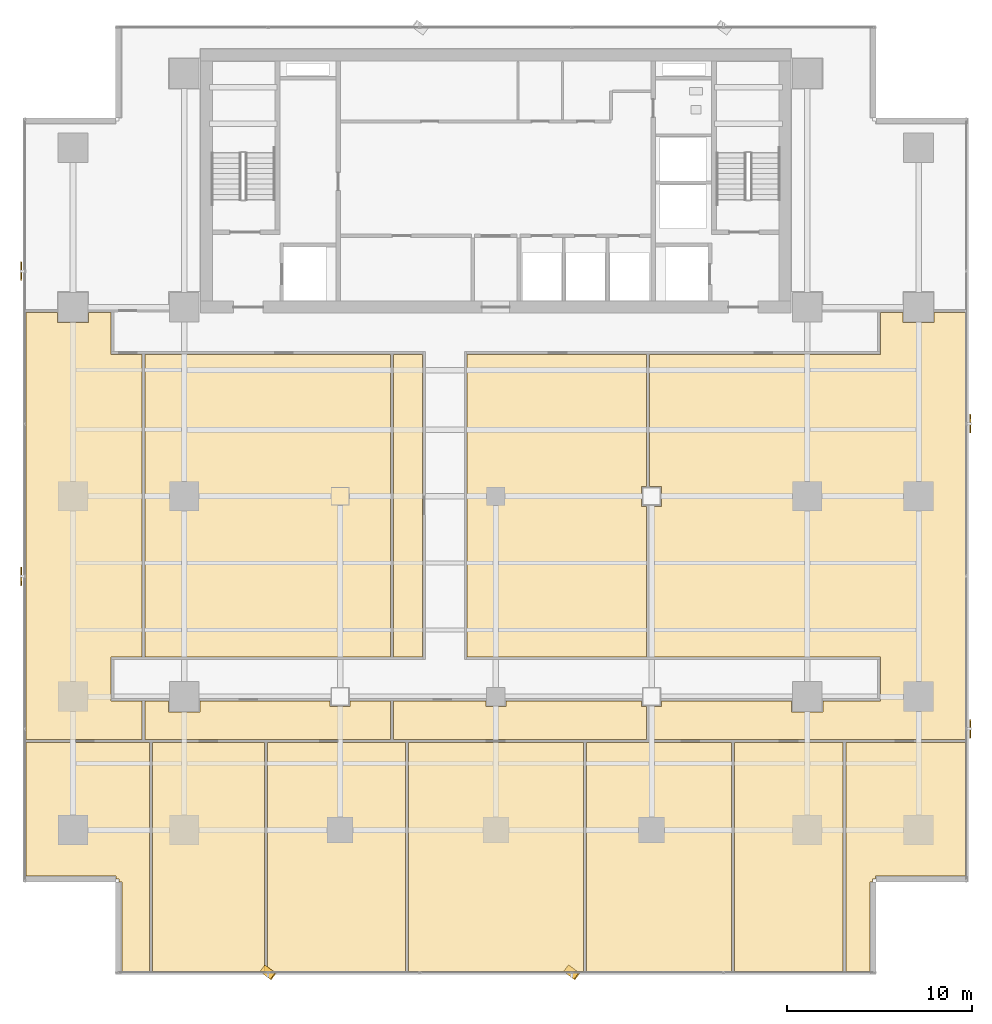
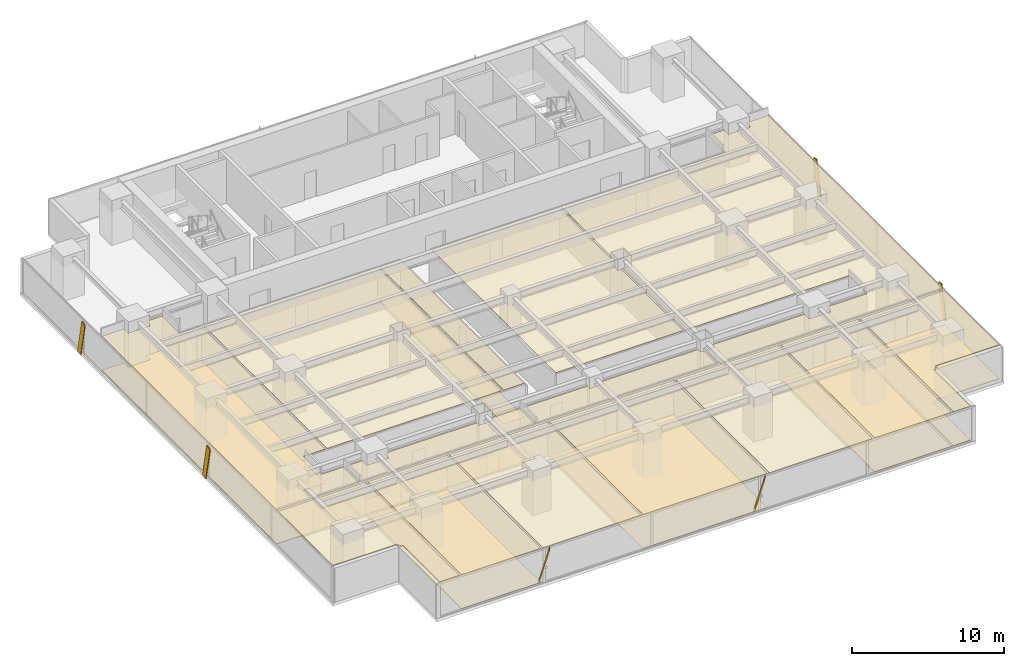
# One storey, part 32 of 36: 21 coverings, 6 shading devices.
"""IFC4 building model written with IfcOpenShell, lengths in metres."""

import ifcopenshell
import ifcopenshell.guid

model = None  # the IFC model being written
_history = None  # IfcOwnerHistory: only IFC2X3 demands one
_inside = {}  # id of a spatial element -> (the spatial element, [elements in it])
_under = {}  # id of a project, library or spatial element -> (it, [spatial elements below it])
_declared = {}  # id of a project -> (the project, [libraries it declares])
_typed = {}  # id of a type object -> (the type object, [elements of that type])
_made_of = {}  # id of a material, layer set ... -> (it, [elements and type objects made of it])


def new_model(schema):
    """Start an empty IFC model of exactly this schema.

    Asked for "IFC4X3", IfcOpenShell would pick the latest addendum, in which some entities
    have other attributes; the version numbers below select the first issue.
    IFC2X3 requires an IfcOwnerHistory on every rooted entity: one is made here for all.
    """
    global model, _history
    if schema == "IFC4X3":
        model = ifcopenshell.file(schema_version=(4, 3, 0, 0))
    else:
        model = ifcopenshell.file(schema=schema)
    _inside.clear()
    _under.clear()
    _declared.clear()
    _typed.clear()
    _made_of.clear()
    _history = None
    if model.schema == "IFC2X3":
        org = make("IfcOrganization", Name="unknown")
        user = make(
            "IfcPersonAndOrganization",
            ThePerson=make("IfcPerson", FamilyName="unknown"),
            TheOrganization=org,
        )
        app = make(
            "IfcApplication",
            ApplicationDeveloper=org,
            Version="unknown",
            ApplicationFullName="unknown",
            ApplicationIdentifier="unknown",
        )
        _history = make(
            "IfcOwnerHistory",
            OwningUser=user,
            OwningApplication=app,
            ChangeAction="ADDED",
            CreationDate=0,
        )
    return model


def make(cls, **values):
    """One entity of the class cls with the attributes given. An attribute that is None is left unset."""
    return model.create_entity(
        cls, **{name: value for name, value in values.items() if value is not None}
    )


def rooted(cls, **values):
    """An entity with a GlobalId (a new one), such as an element, a storey or a relation."""
    return make(cls, GlobalId=ifcopenshell.guid.new(), OwnerHistory=_history, **values)


def si_unit(unit_type, name, prefix=None):
    """IfcSIUnit, for example si_unit("LENGTHUNIT", "METRE", prefix="MILLI")."""
    return make("IfcSIUnit", UnitType=unit_type, Prefix=prefix, Name=name)


def assignment(units):
    """IfcUnitAssignment: the units of a project."""
    return None if units is None else make("IfcUnitAssignment", Units=units)


def point(xyz):
    """IfcCartesianPoint."""
    return None if xyz is None else make("IfcCartesianPoint", Coordinates=xyz)


def direction(xyz):
    """IfcDirection."""
    return None if xyz is None else make("IfcDirection", DirectionRatios=xyz)


def frame(location, z_axis=None, x_axis=None):
    """IfcAxis2Placement3D, a coordinate frame: its origin and axes. An axis left out is left unset."""
    return make(
        "IfcAxis2Placement3D",
        Location=point(location),
        Axis=direction(z_axis),
        RefDirection=direction(x_axis),
    )


def frame_2d(location, x_axis=None):
    """IfcAxis2Placement2D, a coordinate frame in the plane: its origin and x axis."""
    return make(
        "IfcAxis2Placement2D", Location=point(location), RefDirection=direction(x_axis)
    )


def origin():
    """The frame at (0, 0, 0) with its axes left unset."""
    return frame((0.0, 0.0, 0.0))


def origin_2d():
    """The frame at (0, 0) in the plane with its x axis left unset."""
    return frame_2d((0.0, 0.0))


def place(relative_to, where):
    """IfcLocalPlacement: puts the frame where relative to a parent placement (None: the world)."""
    return make(
        "IfcLocalPlacement", PlacementRelTo=relative_to, RelativePlacement=where
    )


def context(
    kind, dimensions, precision=None, world=None, true_north=None, identifier=None
):
    """IfcGeometricRepresentationContext, for example the 3D "Model" context."""
    return make(
        "IfcGeometricRepresentationContext",
        ContextIdentifier=identifier,
        ContextType=kind,
        CoordinateSpaceDimension=dimensions,
        Precision=precision,
        WorldCoordinateSystem=world,
        TrueNorth=true_north,
    )


def subcontext(parent, identifier, kind, view, scale=None):
    """IfcGeometricRepresentationSubContext, for example "Body" below "Model"."""
    return make(
        "IfcGeometricRepresentationSubContext",
        ContextIdentifier=identifier,
        ContextType=kind,
        ParentContext=parent,
        TargetScale=scale,
        TargetView=view,
    )


def project(units=None, contexts=None):
    """IfcProject with its units and contexts."""
    return rooted(
        "IfcProject",
        Name="project",
        RepresentationContexts=contexts,
        UnitsInContext=assignment(units),
    )


def spatial(cls, under=None, at=None, **own):
    """A site, building, storey or space (cls), placed at a placement, below another one or the project."""
    s = rooted(cls, ObjectPlacement=at, **own)
    if under is not None:
        _under.setdefault(under.id(), (under, []))[1].append(s)
    return s


def polyline(points):
    """IfcPolyline through the points."""
    return make("IfcPolyline", Points=[point(p) for p in points])


def profile(cls, at=None, kind="AREA", **sizes):
    """A parametric profile (cls). Its sizes go by their IFC names, for example OverallWidth=200.0."""
    return make(cls, ProfileType=kind, Position=at, **sizes)


def rectangle(**sizes):
    """IfcRectangleProfileDef."""
    return profile("IfcRectangleProfileDef", **sizes)


def outline(outer, holes=None, kind="AREA"):
    """IfcArbitraryClosedProfileDef: a profile drawn as a closed curve; with holes, ...WithVoids."""
    if holes is None:
        return make("IfcArbitraryClosedProfileDef", ProfileType=kind, OuterCurve=outer)
    return make(
        "IfcArbitraryProfileDefWithVoids",
        ProfileType=kind,
        OuterCurve=outer,
        InnerCurves=holes,
    )


def extrude(swept, where, along, depth):
    """IfcExtrudedAreaSolid: the profile swept, set in the frame where, extruded along a direction by depth."""
    return make(
        "IfcExtrudedAreaSolid",
        SweptArea=swept,
        Position=where,
        ExtrudedDirection=direction(along),
        Depth=depth,
    )


def shape(context_of_items, identifier, shape_type, items):
    """IfcShapeRepresentation: the items that make up one representation, for example the "Body"."""
    return make(
        "IfcShapeRepresentation",
        ContextOfItems=context_of_items,
        RepresentationIdentifier=identifier,
        RepresentationType=shape_type,
        Items=items,
    )


def source(mapping_origin, context_of_items, identifier, shape_type, items):
    """IfcRepresentationMap: a shape defined once, which mapped items show again and again."""
    return make(
        "IfcRepresentationMap",
        MappingOrigin=mapping_origin,
        MappedRepresentation=shape(context_of_items, identifier, shape_type, items),
    )


def transform(
    local_origin,
    x_axis=None,
    y_axis=None,
    z_axis=None,
    scale=None,
    scale2=None,
    scale3=None,
    uniform=True,
):
    """IfcCartesianTransformationOperator3D, or its non-uniform kind. x_axis, y_axis, z_axis: its Axis1, 2, 3."""
    if uniform:
        return make(
            "IfcCartesianTransformationOperator3D",
            Axis1=direction(x_axis),
            Axis2=direction(y_axis),
            LocalOrigin=point(local_origin),
            Scale=scale,
            Axis3=direction(z_axis),
        )
    return make(
        "IfcCartesianTransformationOperator3DnonUniform",
        Axis1=direction(x_axis),
        Axis2=direction(y_axis),
        LocalOrigin=point(local_origin),
        Scale=scale,
        Axis3=direction(z_axis),
        Scale2=scale2,
        Scale3=scale3,
    )


def mapped(mapping_source, mapping_target):
    """IfcMappedItem: shows the shape of a source again, moved by a transform."""
    return make(
        "IfcMappedItem", MappingSource=mapping_source, MappingTarget=mapping_target
    )


def material(Name=None, Category=None):
    """IfcMaterial."""
    return make("IfcMaterial", Name=Name, Category=Category)


def layer(
    of_material, thickness, ventilated=None, Name=None, Category=None, Priority=None
):
    """IfcMaterialLayer: one layer of a wall or slab, of a material (None: an air gap)."""
    return make(
        "IfcMaterialLayer",
        Material=of_material,
        LayerThickness=thickness,
        IsVentilated=ventilated,
        Name=Name,
        Category=Category,
        Priority=Priority,
    )


def layer_set(layers, Name=None):
    """IfcMaterialLayerSet."""
    return make("IfcMaterialLayerSet", MaterialLayers=layers, LayerSetName=Name)


def material_profile(
    of_material, cross_section, Name=None, Category=None, Priority=None
):
    """IfcMaterialProfile: a cross section and its material."""
    return make(
        "IfcMaterialProfile",
        Name=Name,
        Material=of_material,
        Profile=cross_section,
        Priority=Priority,
        Category=Category,
    )


def profile_set(profiles, Name=None, composite=None):
    """IfcMaterialProfileSet."""
    return make(
        "IfcMaterialProfileSet",
        Name=Name,
        MaterialProfiles=profiles,
        CompositeProfile=composite,
    )


def made_of(thing, what):
    """Note that an element or type object is made of a material, layer set ...; save() writes the relation."""
    if what is not None:
        _made_of.setdefault(what.id(), (what, []))[1].append(thing)
    return thing


def type_object(cls, material=None, **own):
    """A type object (cls), such as IfcWallType, which elements share."""
    return made_of(rooted(cls, **own), material)


def element(
    cls,
    number,
    at=None,
    inside=None,
    cuts=None,
    type_object=None,
    material=None,
    context=None,
    identifier="Body",
    shape_type=None,
    held_by="IfcProductDefinitionShape",
    body=None,
    shapes=None,
    **own,
):
    """One element of the class cls, such as IfcWall. Its Tag is "e" and its number.

    at: its placement. inside: the storey or other place that contains it. cuts: it is an
    opening in that element (IfcRelVoidsElement). A single representation is given by context,
    identifier, shape_type and body (its items); several are given by shapes. held_by: the class
    of the entity that holds the representations. save() writes the other relations.
    """
    e = rooted(cls, Tag="e%d" % number, ObjectPlacement=at, **own)
    if body is not None:
        shapes = [shape(context, identifier, shape_type, body)]
    if shapes is not None:
        e.Representation = make(held_by, Representations=shapes)
    if inside is not None:
        _inside.setdefault(inside.id(), (inside, []))[1].append(e)
    if cuts is not None:
        rooted(
            "IfcRelVoidsElement", RelatingBuildingElement=cuts, RelatedOpeningElement=e
        )
    if type_object is not None:
        _typed.setdefault(type_object.id(), (type_object, []))[1].append(e)
    return made_of(e, material)


def aggregate(whole, parts):
    """IfcRelAggregates: a whole, such as a stair, and the parts it consists of."""
    return rooted("IfcRelAggregates", RelatingObject=whole, RelatedObjects=parts)


def save(model, path):
    """Write the relations noted so far, then the file.

    IfcRelAggregates (storeys below a building ...), IfcRelContainedInSpatialStructure (elements
    in a storey), IfcRelDefinesByType, IfcRelAssociatesMaterial and IfcRelDeclares: one each for
    every whole, place, type object, material and project.
    """
    for whole, parts in _under.values():
        aggregate(whole, parts)
    for where, things in _inside.values():
        rooted(
            "IfcRelContainedInSpatialStructure",
            RelatedElements=things,
            RelatingStructure=where,
        )
    for kind, things in _typed.values():
        rooted("IfcRelDefinesByType", RelatedObjects=things, RelatingType=kind)
    for what, things in _made_of.values():
        rooted("IfcRelAssociatesMaterial", RelatedObjects=things, RelatingMaterial=what)
    for by, libraries in _declared.values():
        rooted("IfcRelDeclares", RelatingContext=by, RelatedDefinitions=libraries)
    model.write(path)


model = new_model("IFC4")

# Units and contexts
model_context = context("Model", 3, precision=1e-05, world=origin(), true_north=direction((0.0, 1.0)))
body_context = subcontext(model_context, "Body", "Model", "MODEL_VIEW")
ifc_project = project(units=[si_unit("LENGTHUNIT", "METRE"), si_unit("AREAUNIT", "SQUARE_METRE"), si_unit("VOLUMEUNIT", "CUBIC_METRE"), si_unit("PLANEANGLEUNIT", "RADIAN"), si_unit("MASSUNIT", "GRAM", prefix="KILO")], contexts=[model_context])

# Site, building, storey
site_placement = place(None, origin())
site = spatial("IfcSite", under=ifc_project, at=site_placement, CompositionType="ELEMENT")
building_placement = place(site_placement, origin())
building = spatial("IfcBuilding", under=site, at=building_placement, Name="Sumidabori Civic Tower", CompositionType="ELEMENT")
storey_placement = place(building_placement, frame((0.0, 0.0, 84.800048828125)))
storey = spatial("IfcBuildingStorey", under=building, at=storey_placement, Name="L21", CompositionType="ELEMENT", Elevation=84.800048828125)

# Coverings
ifc_material_1 = material(Name="Anodised Bronze Baffle Ceiling")
ifc_layer_1 = layer(ifc_material_1, 0.054931640625, Name="Anodised Bronze Baffle Ceiling")
ifc_layer_set_1 = layer_set([ifc_layer_1], Name="Anodised Bronze Baffle Ceiling")
covering_type_1 = type_object("IfcCoveringType", Name="CV-CEIL-AC3", PredefinedType="CEILING", material=ifc_layer_set_1)
covering_1_placement = place(storey_placement, frame((0.0, 0.0, 2.7099609375)))
element("IfcCovering", 1, at=covering_1_placement, inside=storey, type_object=covering_type_1, Name="Room Acoustic Ceiling L21-02", PredefinedType="CEILING", context=body_context, shape_type="SweptSolid", body=[
    extrude(outline(polyline([(-18.919921875, 7.659912109375), (-5.679931640625, 7.659912109375), (-5.679931640625, -8.659912109375), (-18.919921875, -8.659912109375), (-18.919921875, 7.659912109375)])), origin(), (0.0, 0.0, 1.0), 0.054931640625),
])
covering_2_placement = place(storey_placement, frame((0.0, 0.0, 2.7099609375)))
element("IfcCovering", 2, at=covering_2_placement, inside=storey, type_object=covering_type_1, Name="Room Acoustic Ceiling L21-03", PredefinedType="CEILING", context=body_context, shape_type="SweptSolid", body=[
    extrude(outline(polyline([(-5.52001953125, 7.659912109375), (-3.93994140625, 7.659912109375), (-3.93994140625, -8.659912109375), (-5.52001953125, -8.659912109375), (-5.52001953125, 7.659912109375)])), origin(), (0.0, 0.0, 1.0), 0.054931640625),
])
covering_3_placement = place(storey_placement, frame((0.0, 0.0, 2.7099609375)))
element("IfcCovering", 3, at=covering_3_placement, inside=storey, type_object=covering_type_1, Name="Room Acoustic Ceiling L21-04", PredefinedType="CEILING", context=body_context, shape_type="SweptSolid", body=[
    extrude(outline(polyline([(-1.56005859375, -8.659912109375), (-1.56005859375, 7.659912109375), (8.1201171875, 7.659912109375), (8.1201171875, 0.5400390625), (7.860107421875, 0.5400390625), (7.860107421875, -0.5400390625), (8.1201171875, -0.5400390625), (8.1201171875, -8.659912109375), (-1.56005859375, -8.659912109375)])), origin(), (0.0, 0.0, 1.0), 0.054931640625),
])
covering_4_placement = place(storey_placement, frame((0.0, 0.0, 2.7099609375)))
element("IfcCovering", 4, at=covering_4_placement, inside=storey, type_object=covering_type_1, Name="Room Acoustic Ceiling L21-05", PredefinedType="CEILING", context=body_context, shape_type="SweptSolid", body=[
    extrude(outline(polyline([(-25.330078125, -13.1201171875), (-25.330078125, 9.919921875), (-23.639892578125, 9.919921875), (-23.639892578125, 9.360107421875), (-21.9599609375, 9.360107421875), (-21.9599609375, 9.919921875), (-20.739990234375, 9.919921875), (-20.739990234375, 7.659912109375), (-19.080078125, 7.659912109375), (-19.080078125, -8.659912109375), (-20.724609375, -8.659912109375), (-20.739990234375, -8.66748046875), (-20.739990234375, -11.032470703125), (-20.724609375, -11.0400390625), (-19.080078125, -11.0400390625), (-19.080078125, -13.1201171875), (-25.330078125, -13.1201171875)])), origin(), (0.0, 0.0, 1.0), 0.054931640625),
])
covering_5_placement = place(storey_placement, frame((0.0, 0.0, 2.7099609375)))
element("IfcCovering", 5, at=covering_5_placement, inside=storey, type_object=covering_type_1, Name="Room Acoustic Ceiling L21-06", PredefinedType="CEILING", context=body_context, shape_type="SweptSolid", body=[
    extrude(outline(polyline([(8.280029296875, -11.340087890625), (8.93994140625, -11.340087890625), (8.93994140625, -11.0400390625), (15.9599609375, -11.0400390625), (15.9599609375, -11.639892578125), (17.639892578125, -11.639892578125), (17.639892578125, -11.0400390625), (20.724609375, -11.0400390625), (20.739990234375, -11.032470703125), (20.739990234375, -8.66748046875), (20.724609375, -8.659912109375), (8.280029296875, -8.659912109375), (8.280029296875, -0.5400390625), (8.93994140625, -0.5400390625), (8.93994140625, 0.5400390625), (8.280029296875, 0.5400390625), (8.280029296875, 7.659912109375), (20.739990234375, 7.659912109375), (20.739990234375, 9.919921875), (21.9599609375, 9.919921875), (21.9599609375, 9.360107421875), (23.639892578125, 9.360107421875), (23.639892578125, 9.919921875), (25.330078125, 9.919921875), (25.330078125, -13.1201171875), (8.280029296875, -13.1201171875), (8.280029296875, -11.340087890625)])), origin(), (0.0, 0.0, 1.0), 0.054931640625),
])
covering_6_placement = place(storey_placement, frame((0.0, 0.0, 2.7099609375)))
element("IfcCovering", 6, at=covering_6_placement, inside=storey, type_object=covering_type_1, Name="Room Acoustic Ceiling L21-07", PredefinedType="CEILING", context=body_context, shape_type="SweptSolid", body=[
    extrude(outline(polyline([(-17.639892578125, -11.0400390625), (-17.639892578125, -11.639892578125), (-15.9599609375, -11.639892578125), (-15.9599609375, -11.0400390625), (-8.93994140625, -11.0400390625), (-8.93994140625, -11.340087890625), (-7.860107421875, -11.340087890625), (-7.860107421875, -11.0400390625), (-5.679931640625, -11.0400390625), (-5.679931640625, -13.1201171875), (-18.919921875, -13.1201171875), (-18.919921875, -11.0400390625), (-17.639892578125, -11.0400390625)])), origin(), (0.0, 0.0, 1.0), 0.054931640625),
])
covering_7_placement = place(storey_placement, frame((0.0, 0.0, 2.7099609375)))
element("IfcCovering", 7, at=covering_7_placement, inside=storey, type_object=covering_type_1, Name="Room Acoustic Ceiling L21-08", PredefinedType="CEILING", context=body_context, shape_type="SweptSolid", body=[
    extrude(outline(polyline([(-5.52001953125, -11.0400390625), (-0.5400390625, -11.0400390625), (-0.5400390625, -11.340087890625), (0.5400390625, -11.340087890625), (0.5400390625, -11.0400390625), (7.860107421875, -11.0400390625), (7.860107421875, -11.340087890625), (8.1201171875, -11.340087890625), (8.1201171875, -13.1201171875), (-5.52001953125, -13.1201171875), (-5.52001953125, -11.0400390625)])), origin(), (0.0, 0.0, 1.0), 0.054931640625),
])
covering_8_placement = place(storey_placement, frame((0.0, 0.0, 2.7099609375)))
element("IfcCovering", 8, at=covering_8_placement, inside=storey, type_object=covering_type_1, Name="Room Acoustic Ceiling L21-09", PredefinedType="CEILING", context=body_context, shape_type="SweptSolid", body=[
    extrude(outline(polyline([(18.8798828125, -13.280029296875), (25.330078125, -13.280029296875), (25.330078125, -20.471923828125), (20.491943359375, -20.471923828125), (20.491943359375, -20.6298828125), (20.330078125, -20.6298828125), (20.330078125, -20.7919921875), (20.172119140625, -20.7919921875), (20.172119140625, -25.6298828125), (18.8798828125, -25.6298828125), (18.8798828125, -13.280029296875)])), origin(), (0.0, 0.0, 1.0), 0.054931640625),
])
covering_9_placement = place(storey_placement, frame((0.0, 0.0, 2.7099609375)))
element("IfcCovering", 9, at=covering_9_placement, inside=storey, type_object=covering_type_1, Name="Room Acoustic Ceiling L21-10", PredefinedType="CEILING", context=body_context, shape_type="SweptSolid", body=[
    extrude(outline(polyline([(-18.679931640625, -13.280029296875), (-18.679931640625, -25.6298828125), (-20.172119140625, -25.6298828125), (-20.172119140625, -20.7919921875), (-20.330078125, -20.7919921875), (-20.330078125, -20.6298828125), (-20.491943359375, -20.6298828125), (-20.491943359375, -20.471923828125), (-25.330078125, -20.471923828125), (-25.330078125, -13.280029296875), (-18.679931640625, -13.280029296875)])), origin(), (0.0, 0.0, 1.0), 0.054931640625),
])
covering_10_placement = place(storey_placement, frame((0.0, 0.0, 2.7099609375)))
element("IfcCovering", 10, at=covering_10_placement, inside=storey, type_object=covering_type_1, Name="Room Acoustic Ceiling L21-11", PredefinedType="CEILING", context=body_context, shape_type="SweptSolid", body=[
    extrude(outline(polyline([(-18.52001953125, -13.280029296875), (-12.47998046875, -13.280029296875), (-12.47998046875, -25.6298828125), (-18.52001953125, -25.6298828125), (-18.52001953125, -13.280029296875)])), origin(), (0.0, 0.0, 1.0), 0.054931640625),
])
covering_11_placement = place(storey_placement, frame((0.0, 0.0, 2.7099609375)))
element("IfcCovering", 11, at=covering_11_placement, inside=storey, type_object=covering_type_1, Name="Room Acoustic Ceiling L21-12", PredefinedType="CEILING", context=body_context, shape_type="SweptSolid", body=[
    extrude(outline(polyline([(-12.320068359375, -13.280029296875), (-4.8798828125, -13.280029296875), (-4.8798828125, -25.6298828125), (-12.320068359375, -25.6298828125), (-12.320068359375, -13.280029296875)])), origin(), (0.0, 0.0, 1.0), 0.054931640625),
])
covering_12_placement = place(storey_placement, frame((0.0, 0.0, 2.7099609375)))
element("IfcCovering", 12, at=covering_12_placement, inside=storey, type_object=covering_type_1, Name="Room Acoustic Ceiling L21-13", PredefinedType="CEILING", context=body_context, shape_type="SweptSolid", body=[
    extrude(outline(polyline([(-4.719970703125, -13.280029296875), (4.719970703125, -13.280029296875), (4.719970703125, -25.6298828125), (-4.719970703125, -25.6298828125), (-4.719970703125, -13.280029296875)])), origin(), (0.0, 0.0, 1.0), 0.054931640625),
])
covering_13_placement = place(storey_placement, frame((0.0, 0.0, 2.7099609375)))
element("IfcCovering", 13, at=covering_13_placement, inside=storey, type_object=covering_type_1, Name="Room Acoustic Ceiling L21-14", PredefinedType="CEILING", context=body_context, shape_type="SweptSolid", body=[
    extrude(outline(polyline([(4.8798828125, -13.280029296875), (12.719970703125, -13.280029296875), (12.719970703125, -25.6298828125), (4.8798828125, -25.6298828125), (4.8798828125, -13.280029296875)])), origin(), (0.0, 0.0, 1.0), 0.054931640625),
])
covering_14_placement = place(storey_placement, frame((0.0, 0.0, 2.7099609375)))
element("IfcCovering", 14, at=covering_14_placement, inside=storey, type_object=covering_type_1, Name="Room Acoustic Ceiling L21-15", PredefinedType="CEILING", context=body_context, shape_type="SweptSolid", body=[
    extrude(outline(polyline([(12.8798828125, -13.280029296875), (18.719970703125, -13.280029296875), (18.719970703125, -25.6298828125), (12.8798828125, -25.6298828125), (12.8798828125, -13.280029296875)])), origin(), (0.0, 0.0, 1.0), 0.054931640625),
])
ifc_material_2 = material(Name="Honed Terrazzo Tile Flooring")
ifc_layer_2 = layer(ifc_material_2, 0.030029296875, Name="Honed Terrazzo Tile Flooring")
ifc_layer_set_2 = layer_set([ifc_layer_2], Name="Honed Terrazzo Tile Flooring")
covering_type_2 = type_object("IfcCoveringType", Name="CV-FLR-TER", PredefinedType="FLOORING", material=ifc_layer_set_2)
covering_15_placement = place(storey_placement, origin())
element("IfcCovering", 15, at=covering_15_placement, inside=storey, type_object=covering_type_2, Name="Room Terrazzo Floor L21-03", PredefinedType="FLOORING", context=body_context, shape_type="SweptSolid", body=[
    extrude(outline(polyline([(-5.52001953125, 7.659912109375), (-3.93994140625, 7.659912109375), (-3.93994140625, -8.659912109375), (-5.52001953125, -8.659912109375), (-5.52001953125, 7.659912109375)])), origin(), (0.0, 0.0, 1.0), 0.030029296875),
])
covering_16_placement = place(storey_placement, origin())
element("IfcCovering", 16, at=covering_16_placement, inside=storey, type_object=covering_type_2, Name="Room Terrazzo Floor L21-05", PredefinedType="FLOORING", context=body_context, shape_type="SweptSolid", body=[
    extrude(outline(polyline([(-25.330078125, -13.1201171875), (-25.330078125, 9.919921875), (-23.639892578125, 9.919921875), (-23.639892578125, 9.360107421875), (-21.9599609375, 9.360107421875), (-21.9599609375, 9.919921875), (-20.739990234375, 9.919921875), (-20.739990234375, 7.659912109375), (-19.080078125, 7.659912109375), (-19.080078125, -8.659912109375), (-20.724609375, -8.659912109375), (-20.739990234375, -8.66748046875), (-20.739990234375, -11.032470703125), (-20.724609375, -11.0400390625), (-19.080078125, -11.0400390625), (-19.080078125, -13.1201171875), (-25.330078125, -13.1201171875)])), origin(), (0.0, 0.0, 1.0), 0.030029296875),
])
covering_17_placement = place(storey_placement, origin())
element("IfcCovering", 17, at=covering_17_placement, inside=storey, type_object=covering_type_2, Name="Room Terrazzo Floor L21-07", PredefinedType="FLOORING", context=body_context, shape_type="SweptSolid", body=[
    extrude(outline(polyline([(-17.639892578125, -11.0400390625), (-17.639892578125, -11.639892578125), (-15.9599609375, -11.639892578125), (-15.9599609375, -11.0400390625), (-8.93994140625, -11.0400390625), (-8.93994140625, -11.340087890625), (-7.860107421875, -11.340087890625), (-7.860107421875, -11.0400390625), (-5.679931640625, -11.0400390625), (-5.679931640625, -13.1201171875), (-18.919921875, -13.1201171875), (-18.919921875, -11.0400390625), (-17.639892578125, -11.0400390625)])), origin(), (0.0, 0.0, 1.0), 0.030029296875),
])
covering_18_placement = place(storey_placement, origin())
element("IfcCovering", 18, at=covering_18_placement, inside=storey, type_object=covering_type_2, Name="Room Terrazzo Floor L21-09", PredefinedType="FLOORING", context=body_context, shape_type="SweptSolid", body=[
    extrude(outline(polyline([(18.8798828125, -13.280029296875), (25.330078125, -13.280029296875), (25.330078125, -20.471923828125), (20.491943359375, -20.471923828125), (20.491943359375, -20.6298828125), (20.330078125, -20.6298828125), (20.330078125, -20.7919921875), (20.172119140625, -20.7919921875), (20.172119140625, -25.6298828125), (18.8798828125, -25.6298828125), (18.8798828125, -13.280029296875)])), origin(), (0.0, 0.0, 1.0), 0.030029296875),
])
covering_19_placement = place(storey_placement, origin())
element("IfcCovering", 19, at=covering_19_placement, inside=storey, type_object=covering_type_2, Name="Room Terrazzo Floor L21-11", PredefinedType="FLOORING", context=body_context, shape_type="SweptSolid", body=[
    extrude(outline(polyline([(-18.52001953125, -13.280029296875), (-12.47998046875, -13.280029296875), (-12.47998046875, -25.6298828125), (-18.52001953125, -25.6298828125), (-18.52001953125, -13.280029296875)])), origin(), (0.0, 0.0, 1.0), 0.030029296875),
])
covering_20_placement = place(storey_placement, origin())
element("IfcCovering", 20, at=covering_20_placement, inside=storey, type_object=covering_type_2, Name="Room Terrazzo Floor L21-13", PredefinedType="FLOORING", context=body_context, shape_type="SweptSolid", body=[
    extrude(outline(polyline([(-4.719970703125, -13.280029296875), (4.719970703125, -13.280029296875), (4.719970703125, -25.6298828125), (-4.719970703125, -25.6298828125), (-4.719970703125, -13.280029296875)])), origin(), (0.0, 0.0, 1.0), 0.030029296875),
])
covering_21_placement = place(storey_placement, origin())
element("IfcCovering", 21, at=covering_21_placement, inside=storey, type_object=covering_type_2, Name="Room Terrazzo Floor L21-15", PredefinedType="FLOORING", context=body_context, shape_type="SweptSolid", body=[
    extrude(outline(polyline([(12.8798828125, -13.280029296875), (18.719970703125, -13.280029296875), (18.719970703125, -25.6298828125), (12.8798828125, -25.6298828125), (12.8798828125, -13.280029296875)])), origin(), (0.0, 0.0, 1.0), 0.030029296875),
])

# Shading devices
ifc_material_3 = material(Name="Anodised Bronze Aluminium AW-6063-T6", Category="aluminium")
ifc_material_profile = material_profile(ifc_material_3, rectangle(XDim=0.06005859375, YDim=0.449951171875, at=origin_2d()), Name="BRONZE FIN 450x60")
ifc_profile_set = profile_set([ifc_material_profile], Name="Anodised Bronze Aluminium AW-6063-T6")
shading_device_type = type_object("IfcShadingDeviceType", Name="SH-FIN-450", PredefinedType="USERDEFINED", material=ifc_profile_set)
shared_shape_1 = source(origin(), body_context, "Body", "SweptSolid", [
    extrude(rectangle(XDim=0.06005859375, YDim=0.449951171875, at=origin_2d()), origin(), (0.0, 0.0, 1.0), 2.769775390625),
])
for number, where, z_axis, x_axis, name in (
    (22, (-12.56201171875, -25.469970703125, 0.02001953125), (0.202198633998, -0.151604904305, 0.967538973582), (0.774112159528, -0.58041539424, -0.252721852241), "Bronze Anodised Diagonal Fin L21-01"),
    (23, (3.81396484375, -25.469970703125, 0.02001953125), (0.202198633998, -0.151604904305, 0.967538973582), (0.774112159528, -0.58041539424, -0.252721852241), "Bronze Anodised Diagonal Fin L21-03"),
):
    element("IfcShadingDevice", number, at=place(storey_placement, frame(where, z_axis=z_axis, x_axis=x_axis)), inside=storey, type_object=shading_device_type, Name=name, ObjectType="FIN", PredefinedType="USERDEFINED", context=body_context, shape_type="MappedRepresentation", body=[
        mapped(shared_shape_1, transform((0.0, 0.0, 0.0), x_axis=(1.0, 0.0, 0.0), y_axis=(0.0, 1.0, 0.0), z_axis=(0.0, 0.0, 1.0), scale=1.0)),
    ])
shared_shape_2 = source(origin(), body_context, "Body", "SweptSolid", [
    extrude(rectangle(XDim=0.06005859375, YDim=0.449951171875, at=origin_2d()), origin(), (0.0, 0.0, 1.0), 2.73779296875),
])
for number, where, z_axis, x_axis, name in (
    (24, (25.590087890625, -12.822021484375, 0.02001953125), (0.0, 0.204563143937, 0.978853370093), (-1.0, 0.0, 0.0), "Bronze Anodised Diagonal Fin L21-01"),
    (25, (25.590087890625, 3.634033203125, 0.02001953125), (0.0, 0.204563143937, 0.978853370093), (-1.0, 0.0, 0.0), "Bronze Anodised Diagonal Fin L21-03"),
    (26, (-25.590087890625, 12.422119140625, 0.02001953125), (0.0, -0.204563143937, 0.978853370093), (-1.0, 0.0, 0.0), "Bronze Anodised Diagonal Fin L21-01"),
    (27, (-25.590087890625, -4.033935546875, 0.02001953125), (0.0, -0.204563143937, 0.978853370093), (-1.0, 0.0, 0.0), "Bronze Anodised Diagonal Fin L21-03"),
):
    element("IfcShadingDevice", number, at=place(storey_placement, frame(where, z_axis=z_axis, x_axis=x_axis)), inside=storey, type_object=shading_device_type, Name=name, ObjectType="FIN", PredefinedType="USERDEFINED", context=body_context, shape_type="MappedRepresentation", body=[
        mapped(shared_shape_2, transform((0.0, 0.0, 0.0), x_axis=(1.0, 0.0, 0.0), y_axis=(0.0, 1.0, 0.0), z_axis=(0.0, 0.0, 1.0), scale=1.0)),
    ])

save(model, "model.ifc")
